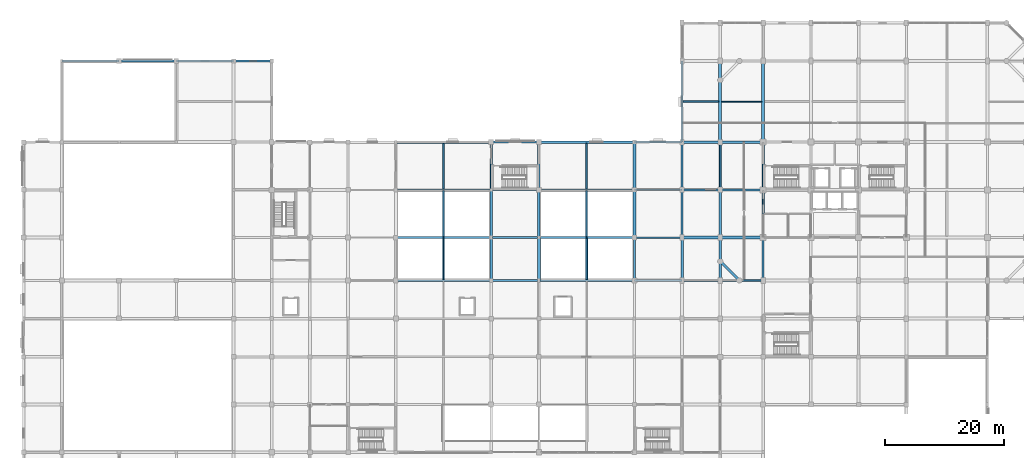
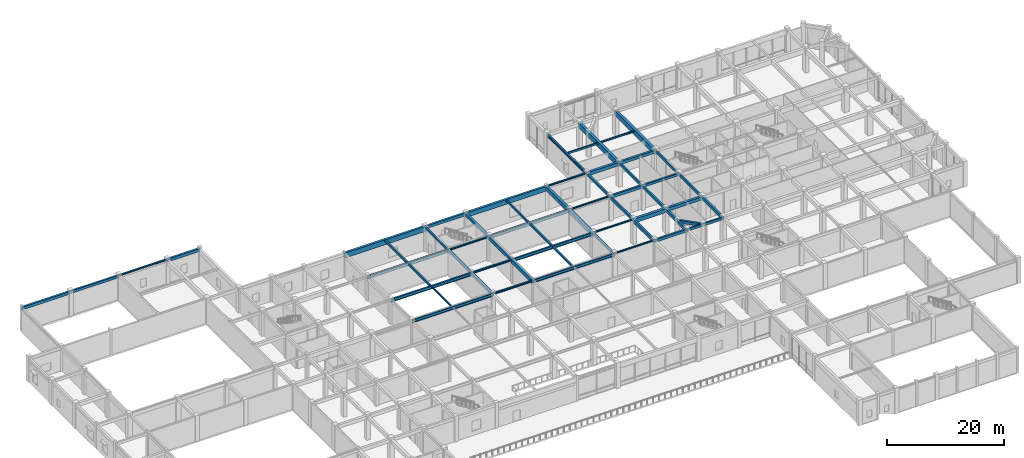
# One storey, part 11 of 36: 58 beams.
"""IFC4 building model written with IfcOpenShell, lengths in metres."""

from ifc_helpers import new_model, si_unit, direction, frame, origin, origin_2d, place, context, subcontext, project, spatial, rectangle, i_section, extrude, material, material_profile, profile_set, type_object, element, save


model = new_model("IFC4")

# Units and contexts
model_context = context("Model", 3, precision=1e-05, world=origin(), true_north=direction((0.0, 1.0)))
body_context = subcontext(model_context, "Body", "Model", "MODEL_VIEW")
ifc_project = project(units=[si_unit("LENGTHUNIT", "METRE"), si_unit("AREAUNIT", "SQUARE_METRE"), si_unit("VOLUMEUNIT", "CUBIC_METRE"), si_unit("PLANEANGLEUNIT", "RADIAN"), si_unit("MASSUNIT", "GRAM", prefix="KILO")], contexts=[model_context])

# Site, building, storey
site_placement = place(None, origin())
site = spatial("IfcSite", under=ifc_project, at=site_placement, CompositionType="ELEMENT")
building_placement = place(site_placement, origin())
building = spatial("IfcBuilding", under=site, at=building_placement, Name="Vellmiral Cinema and Media Centre", CompositionType="ELEMENT")
storey_placement = place(building_placement, frame((0.0, 0.0, 5.39990234375)))
storey = spatial("IfcBuildingStorey", under=building, at=storey_placement, Name="L01", CompositionType="ELEMENT", Elevation=5.39990234375)

# Beams
ifc_material_1 = material(Name="Concrete C40/50", Category="concrete")
ifc_material_profile_1 = material_profile(ifc_material_1, rectangle(XDim=0.300048828125, YDim=0.449951171875, at=origin_2d()), Name="RC 300x450")
ifc_profile_set_1 = profile_set([ifc_material_profile_1], Name="Concrete C40/50")
beam_type_1 = type_object("IfcBeamType", Name="BM-RC-300x450", PredefinedType="BEAM", material=ifc_profile_set_1)
beam_1_placement = place(storey_placement, frame((124.0, 87.199951171875, 4.81005859375), z_axis=(0.0, 1.0, 0.0), x_axis=(-1.0, 0.0, 0.0)))
element("IfcBeam", 1, at=beam_1_placement, inside=storey, type_object=beam_type_1, Name="Grid Beam L01-Y301", PredefinedType="BEAM", context=body_context, shape_type="SweptSolid", body=[
    extrude(rectangle(XDim=0.300048828125, YDim=0.449951171875, at=origin_2d()), origin(), (0.0, 0.0, 1.0), 8.0),
])
ifc_material_2 = material(Name="Concrete C40/50", Category="concrete")
ifc_material_profile_2 = material_profile(ifc_material_2, rectangle(XDim=0.300048828125, YDim=0.5, at=origin_2d()), Name="RC 300x500")
ifc_profile_set_2 = profile_set([ifc_material_profile_2], Name="Concrete C40/50")
beam_type_2 = type_object("IfcBeamType", Name="BM-RC-300x500", PredefinedType="BEAM", material=ifc_profile_set_2)
beam_2_placement = place(storey_placement, frame((116.800048828125, 72.0, 4.78515625), z_axis=(1.0, 0.0, 0.0), x_axis=(0.0, 1.0, 0.0)))
element("IfcBeam", 2, at=beam_2_placement, inside=storey, type_object=beam_type_2, Name="Grid Beam L01-X104", PredefinedType="BEAM", context=body_context, shape_type="SweptSolid", body=[
    extrude(rectangle(XDim=0.300048828125, YDim=0.5, at=origin_2d()), origin(), (0.0, 0.0, 1.0), 7.199951171875),
])
for number, where, z_axis, x_axis, name in (
    (3, (78.39990234375, 87.199951171875, 4.78515625), (0.0, 1.0, 0.0), (-1.0, 0.0, 0.0), "Grid Beam L01-Y256"),
    (4, (116.800048828125, 87.199951171875, 4.78515625), (0.0, 1.0, 0.0), (-1.0, 0.0, 0.0), "Grid Beam L01-Y289"),
    (5, (124.0, 79.199951171875, 4.78515625), (0.0, 1.0, 0.0), (-1.0, 0.0, 0.0), "Grid Beam L01-Y300"),
):
    element("IfcBeam", number, at=place(storey_placement, frame(where, z_axis=z_axis, x_axis=x_axis)), inside=storey, type_object=beam_type_2, Name=name, PredefinedType="BEAM", context=body_context, shape_type="SweptSolid", body=[
        extrude(rectangle(XDim=0.300048828125, YDim=0.5, at=origin_2d()), origin(), (0.0, 0.0, 1.0), 8.0),
    ])
ifc_material_3 = material(Name="Concrete C40/50", Category="concrete")
ifc_material_profile_3 = material_profile(ifc_material_3, rectangle(XDim=0.35009765625, YDim=0.5, at=origin_2d()), Name="RC 350x500")
ifc_profile_set_3 = profile_set([ifc_material_profile_3], Name="Concrete C40/50")
beam_type_3 = type_object("IfcBeamType", Name="BM-RC-350x500", PredefinedType="BEAM", material=ifc_profile_set_3)
beam_3_placement = place(storey_placement, frame((116.800048828125, 87.199951171875, 4.78515625), z_axis=(1.0, 0.0, 0.0), x_axis=(0.0, 1.0, 0.0)))
element("IfcBeam", 6, at=beam_3_placement, inside=storey, type_object=beam_type_3, Name="Grid Beam L01-X136", PredefinedType="BEAM", context=body_context, shape_type="SweptSolid", body=[
    extrude(rectangle(XDim=0.35009765625, YDim=0.5, at=origin_2d()), origin(), (0.0, 0.0, 1.0), 7.199951171875),
])
beam_4_placement = place(storey_placement, frame((78.39990234375, 79.199951171875, 4.78515625), z_axis=(0.0, 1.0, 0.0), x_axis=(-1.0, 0.0, 0.0)))
element("IfcBeam", 7, at=beam_4_placement, inside=storey, type_object=beam_type_3, Name="Grid Beam L01-Y255", PredefinedType="BEAM", context=body_context, shape_type="SweptSolid", body=[
    extrude(rectangle(XDim=0.35009765625, YDim=0.5, at=origin_2d()), origin(), (0.0, 0.0, 1.0), 8.0),
])
beam_5_placement = place(storey_placement, frame((102.39990234375, 72.0, 4.78515625), z_axis=(0.0, 1.0, 0.0), x_axis=(-1.0, 0.0, 0.0)))
element("IfcBeam", 8, at=beam_5_placement, inside=storey, type_object=beam_type_3, Name="Grid Beam L01-Y268", PredefinedType="BEAM", context=body_context, shape_type="SweptSolid", body=[
    extrude(rectangle(XDim=0.35009765625, YDim=0.5, at=origin_2d()), origin(), (0.0, 0.0, 1.0), 7.199951171875),
])
for number, where, z_axis, x_axis, name in (
    (9, (110.39990234375, 87.199951171875, 4.78515625), (0.0, 1.0, 0.0), (-1.0, 0.0, 0.0), "Grid Beam L01-Y277"),
    (10, (116.800048828125, 79.199951171875, 4.78515625), (0.0, 1.0, 0.0), (-1.0, 0.0, 0.0), "Grid Beam L01-Y288"),
):
    element("IfcBeam", number, at=place(storey_placement, frame(where, z_axis=z_axis, x_axis=x_axis)), inside=storey, type_object=beam_type_3, Name=name, PredefinedType="BEAM", context=body_context, shape_type="SweptSolid", body=[
        extrude(rectangle(XDim=0.35009765625, YDim=0.5, at=origin_2d()), origin(), (0.0, 0.0, 1.0), 8.0),
    ])
ifc_material_4 = material(Name="Concrete C40/50", Category="concrete")
ifc_material_profile_4 = material_profile(ifc_material_4, rectangle(XDim=0.35009765625, YDim=0.550048828125, at=origin_2d()), Name="RC 350x550")
ifc_profile_set_4 = profile_set([ifc_material_profile_4], Name="Concrete C40/50")
beam_type_4 = type_object("IfcBeamType", Name="BM-RC-350x550", PredefinedType="BEAM", material=ifc_profile_set_4)
beam_6_placement = place(storey_placement, frame((110.39990234375, 72.0, 4.760009765625), z_axis=(1.0, 0.0, 0.0), x_axis=(0.0, 1.0, 0.0)))
element("IfcBeam", 11, at=beam_6_placement, inside=storey, type_object=beam_type_4, Name="Grid Beam L01-X103", PredefinedType="BEAM", context=body_context, shape_type="SweptSolid", body=[
    extrude(rectangle(XDim=0.35009765625, YDim=0.550048828125, at=origin_2d()), origin(), (0.0, 0.0, 1.0), 6.400146484375),
])
beam_7_placement = place(storey_placement, frame((110.39990234375, 79.199951171875, 4.760009765625), z_axis=(0.0, 1.0, 0.0), x_axis=(-1.0, 0.0, 0.0)))
element("IfcBeam", 12, at=beam_7_placement, inside=storey, type_object=beam_type_4, Name="Grid Beam L01-Y276", PredefinedType="BEAM", context=body_context, shape_type="SweptSolid", body=[
    extrude(rectangle(XDim=0.35009765625, YDim=0.550048828125, at=origin_2d()), origin(), (0.0, 0.0, 1.0), 8.0),
])
ifc_material_5 = material(Name="Concrete C40/50", Category="concrete")
ifc_material_profile_5 = material_profile(ifc_material_5, rectangle(XDim=0.35009765625, YDim=0.60009765625, at=origin_2d()), Name="RC 350x600")
ifc_profile_set_5 = profile_set([ifc_material_profile_5], Name="Concrete C40/50")
beam_type_5 = type_object("IfcBeamType", Name="BM-RC-350x600", PredefinedType="BEAM", material=ifc_profile_set_5)
beam_8_placement = place(storey_placement, frame((110.39990234375, 87.199951171875, 4.735107421875), z_axis=(1.0, 0.0, 0.0), x_axis=(0.0, 1.0, 0.0)))
element("IfcBeam", 13, at=beam_8_placement, inside=storey, type_object=beam_type_5, Name="Grid Beam L01-X135", PredefinedType="BEAM", context=body_context, shape_type="SweptSolid", body=[
    extrude(rectangle(XDim=0.35009765625, YDim=0.60009765625, at=origin_2d()), origin(), (0.0, 0.0, 1.0), 6.400146484375),
])
beam_9_placement = place(storey_placement, frame((124.0, 72.0, 4.735107421875), z_axis=(0.0, 1.0, 0.0), x_axis=(-1.0, 0.0, 0.0)))
element("IfcBeam", 14, at=beam_9_placement, inside=storey, type_object=beam_type_5, Name="Grid Beam L01-Y299", PredefinedType="BEAM", context=body_context, shape_type="SweptSolid", body=[
    extrude(rectangle(XDim=0.35009765625, YDim=0.60009765625, at=origin_2d()), origin(), (0.0, 0.0, 1.0), 7.199951171875),
])
ifc_material_6 = material(Name="Concrete C40/50", Category="concrete")
ifc_material_profile_6 = material_profile(ifc_material_6, rectangle(XDim=0.39990234375, YDim=0.60009765625, at=origin_2d()), Name="RC 400x600")
ifc_profile_set_6 = profile_set([ifc_material_profile_6], Name="Concrete C40/50")
beam_type_6 = type_object("IfcBeamType", Name="BM-RC-400x600", PredefinedType="BEAM", material=ifc_profile_set_6)
for number, where, z_axis, x_axis, name in (
    (15, (116.800048828125, 95.199951171875, 4.735107421875), (1.0, 0.0, 0.0), (0.0, 1.0, 0.0), "Grid Beam L01-X155"),
    (16, (78.39990234375, 72.0, 4.735107421875), (0.0, 1.0, 0.0), (-1.0, 0.0, 0.0), "Grid Beam L01-Y254"),
):
    element("IfcBeam", number, at=place(storey_placement, frame(where, z_axis=z_axis, x_axis=x_axis)), inside=storey, type_object=beam_type_6, Name=name, PredefinedType="BEAM", context=body_context, shape_type="SweptSolid", body=[
        extrude(rectangle(XDim=0.39990234375, YDim=0.60009765625, at=origin_2d()), origin(), (0.0, 0.0, 1.0), 7.199951171875),
    ])
beam_10_placement = place(storey_placement, frame((86.39990234375, 87.199951171875, 4.735107421875), z_axis=(0.0, 1.0, 0.0), x_axis=(-1.0, 0.0, 0.0)))
element("IfcBeam", 17, at=beam_10_placement, inside=storey, type_object=beam_type_6, Name="Grid Beam L01-Y263", PredefinedType="BEAM", context=body_context, shape_type="SweptSolid", body=[
    extrude(rectangle(XDim=0.39990234375, YDim=0.60009765625, at=origin_2d()), origin(), (0.0, 0.0, 1.0), 8.0),
])
beam_11_placement = place(storey_placement, frame((116.800048828125, 72.0, 4.735107421875), z_axis=(0.0, 1.0, 0.0), x_axis=(-1.0, 0.0, 0.0)))
element("IfcBeam", 18, at=beam_11_placement, inside=storey, type_object=beam_type_6, Name="Grid Beam L01-Y287", PredefinedType="BEAM", context=body_context, shape_type="SweptSolid", body=[
    extrude(rectangle(XDim=0.39990234375, YDim=0.60009765625, at=origin_2d()), origin(), (0.0, 0.0, 1.0), 7.199951171875),
])
ifc_material_7 = material(Name="Concrete C40/50", Category="concrete")
ifc_material_profile_7 = material_profile(ifc_material_7, rectangle(XDim=0.39990234375, YDim=0.64990234375, at=origin_2d()), Name="RC 400x650")
ifc_profile_set_7 = profile_set([ifc_material_profile_7], Name="Concrete C40/50")
beam_type_7 = type_object("IfcBeamType", Name="BM-RC-400x650", PredefinedType="BEAM", material=ifc_profile_set_7)
beam_12_placement = place(storey_placement, frame((86.39990234375, 79.199951171875, 4.710205078125), z_axis=(0.0, 1.0, 0.0), x_axis=(-1.0, 0.0, 0.0)))
element("IfcBeam", 19, at=beam_12_placement, inside=storey, type_object=beam_type_7, Name="Grid Beam L01-Y262", PredefinedType="BEAM", context=body_context, shape_type="SweptSolid", body=[
    extrude(rectangle(XDim=0.39990234375, YDim=0.64990234375, at=origin_2d()), origin(), (0.0, 0.0, 1.0), 8.0),
])
beam_13_placement = place(storey_placement, frame((110.39990234375, 72.0, 4.710205078125), z_axis=(0.0, 1.0, 0.0), x_axis=(-1.0, 0.0, 0.0)))
element("IfcBeam", 20, at=beam_13_placement, inside=storey, type_object=beam_type_7, Name="Grid Beam L01-Y275", PredefinedType="BEAM", context=body_context, shape_type="SweptSolid", body=[
    extrude(rectangle(XDim=0.39990234375, YDim=0.64990234375, at=origin_2d()), origin(), (0.0, 0.0, 1.0), 7.199951171875),
])
ifc_material_8 = material(Name="Concrete C40/50", Category="concrete")
ifc_material_profile_8 = material_profile(ifc_material_8, rectangle(XDim=0.449951171875, YDim=0.699951171875, at=origin_2d()), Name="RC 450x700")
ifc_profile_set_8 = profile_set([ifc_material_profile_8], Name="Concrete C40/50")
beam_type_8 = type_object("IfcBeamType", Name="BM-RC-450x700", PredefinedType="BEAM", material=ifc_profile_set_8)
beam_14_placement = place(storey_placement, frame((116.800048828125, 79.199951171875, 4.68505859375), z_axis=(1.0, 0.0, 0.0), x_axis=(0.0, 1.0, 0.0)))
element("IfcBeam", 21, at=beam_14_placement, inside=storey, type_object=beam_type_8, Name="Grid Beam L01-X120", PredefinedType="BEAM", context=body_context, shape_type="SweptSolid", body=[
    extrude(rectangle(XDim=0.449951171875, YDim=0.699951171875, at=origin_2d()), origin(), (0.0, 0.0, 1.0), 7.199951171875),
])
beam_15_placement = place(storey_placement, frame((110.39990234375, 95.199951171875, 4.68505859375), z_axis=(1.0, 0.0, 0.0), x_axis=(0.0, 1.0, 0.0)))
element("IfcBeam", 22, at=beam_15_placement, inside=storey, type_object=beam_type_8, Name="Grid Beam L01-X154", PredefinedType="BEAM", context=body_context, shape_type="SweptSolid", body=[
    extrude(rectangle(XDim=0.449951171875, YDim=0.699951171875, at=origin_2d()), origin(), (0.0, 0.0, 1.0), 6.400146484375),
])
ifc_material_9 = material(Name="Concrete C40/50", Category="concrete")
ifc_material_profile_9 = material_profile(ifc_material_9, rectangle(XDim=0.5, YDim=0.800048828125, at=origin_2d()), Name="RC 500x800")
ifc_profile_set_9 = profile_set([ifc_material_profile_9], Name="Concrete C40/50")
beam_type_9 = type_object("IfcBeamType", Name="BM-RC-500x800", PredefinedType="BEAM", material=ifc_profile_set_9)
beam_16_placement = place(storey_placement, frame((110.39990234375, 79.199951171875, 4.635009765625), z_axis=(1.0, 0.0, 0.0), x_axis=(0.0, 1.0, 0.0)))
element("IfcBeam", 23, at=beam_16_placement, inside=storey, type_object=beam_type_9, Name="Grid Beam L01-X119", PredefinedType="BEAM", context=body_context, shape_type="SweptSolid", body=[
    extrude(rectangle(XDim=0.5, YDim=0.800048828125, at=origin_2d()), origin(), (0.0, 0.0, 1.0), 6.400146484375),
])
beam_17_placement = place(storey_placement, frame((86.39990234375, 72.0, 4.635009765625), z_axis=(0.0, 1.0, 0.0), x_axis=(-1.0, 0.0, 0.0)))
element("IfcBeam", 24, at=beam_17_placement, inside=storey, type_object=beam_type_9, Name="Grid Beam L01-Y261", PredefinedType="BEAM", context=body_context, shape_type="SweptSolid", body=[
    extrude(rectangle(XDim=0.5, YDim=0.800048828125, at=origin_2d()), origin(), (0.0, 0.0, 1.0), 7.199951171875),
])
beam_18_placement = place(storey_placement, frame((102.39990234375, 87.199951171875, 4.635009765625), z_axis=(0.0, 1.0, 0.0), x_axis=(-1.0, 0.0, 0.0)))
element("IfcBeam", 25, at=beam_18_placement, inside=storey, type_object=beam_type_9, Name="Grid Beam L01-Y270", PredefinedType="BEAM", context=body_context, shape_type="SweptSolid", body=[
    extrude(rectangle(XDim=0.5, YDim=0.800048828125, at=origin_2d()), origin(), (0.0, 0.0, 1.0), 8.0),
])
ifc_material_10 = material(Name="Concrete C40/50", Category="concrete")
ifc_material_profile_10 = material_profile(ifc_material_10, rectangle(XDim=0.5, YDim=0.85009765625, at=origin_2d()), Name="RC 500x850")
ifc_profile_set_10 = profile_set([ifc_material_profile_10], Name="Concrete C40/50")
beam_type_10 = type_object("IfcBeamType", Name="BM-RC-500x850", PredefinedType="BEAM", material=ifc_profile_set_10)
beam_19_placement = place(storey_placement, frame((102.39990234375, 79.199951171875, 4.610107421875), z_axis=(0.0, 1.0, 0.0), x_axis=(-1.0, 0.0, 0.0)))
element("IfcBeam", 26, at=beam_19_placement, inside=storey, type_object=beam_type_10, Name="Grid Beam L01-Y269", PredefinedType="BEAM", context=body_context, shape_type="SweptSolid", body=[
    extrude(rectangle(XDim=0.5, YDim=0.85009765625, at=origin_2d()), origin(), (0.0, 0.0, 1.0), 8.0),
])
ifc_material_11 = material(Name="Concrete C40/50", Category="concrete")
ifc_material_profile_11 = material_profile(ifc_material_11, rectangle(XDim=0.5, YDim=1.050048828125, at=origin_2d()), Name="RC 500x1050")
ifc_profile_set_11 = profile_set([ifc_material_profile_11], Name="Concrete C40/50")
beam_type_11 = type_object("IfcBeamType", Name="BM-RCG-500x1050", PredefinedType="BEAM", material=ifc_profile_set_11)
for number, where, z_axis, x_axis, name in (
    (27, (116.800048828125, 95.199951171875, 4.510009765625), (0.0, 1.0, 0.0), (-1.0, 0.0, 0.0), "Grid Beam L01-Y290"),
    (28, (124.0, 95.199951171875, 4.510009765625), (0.0, 1.0, 0.0), (-1.0, 0.0, 0.0), "Grid Beam L01-Y302"),
):
    element("IfcBeam", number, at=place(storey_placement, frame(where, z_axis=z_axis, x_axis=x_axis)), inside=storey, type_object=beam_type_11, Name=name, PredefinedType="BEAM", context=body_context, shape_type="SweptSolid", body=[
        extrude(rectangle(XDim=0.5, YDim=1.050048828125, at=origin_2d()), origin(), (0.0, 0.0, 1.0), 13.60009765625),
    ])
ifc_material_12 = material(Name="Concrete C40/50", Category="concrete")
ifc_material_profile_12 = material_profile(ifc_material_12, rectangle(XDim=0.25, YDim=0.35009765625, at=origin_2d()), Name="RC 250x350")
ifc_profile_set_12 = profile_set([ifc_material_profile_12], Name="Concrete C40/50")
beam_type_12 = type_object("IfcBeamType", Name="JST-RC-250x350", PredefinedType="JOIST", material=ifc_profile_set_12)
beam_20_placement = place(storey_placement, frame((110.550048828125, 102.0, 4.860107421875), z_axis=(1.0, 0.0, 0.0), x_axis=(0.0, 1.0, 0.0)))
element("IfcBeam", 29, at=beam_20_placement, inside=storey, type_object=beam_type_12, Name="Secondary Floor Joist L01-020", PredefinedType="JOIST", context=body_context, shape_type="SweptSolid", body=[
    extrude(rectangle(XDim=0.25, YDim=0.35009765625, at=origin_2d()), origin(), (0.0, 0.0, 1.0), 6.0),
])
ifc_material_13 = material(Name="Concrete C40/50", Category="concrete")
ifc_material_profile_13 = material_profile(ifc_material_13, rectangle(XDim=0.260009765625, YDim=0.3798828125, at=origin_2d()), Name="RC 260x380")
ifc_profile_set_13 = profile_set([ifc_material_profile_13], Name="Concrete C40/50")
beam_type_13 = type_object("IfcBeamType", Name="JST-RC-260x380", PredefinedType="JOIST", material=ifc_profile_set_13)
beam_21_placement = place(storey_placement, frame((94.39990234375, 87.35009765625, 4.84521484375), z_axis=(0.0, 1.0, 0.0), x_axis=(-1.0, 0.0, 0.0)))
element("IfcBeam", 30, at=beam_21_placement, inside=storey, type_object=beam_type_13, Name="Secondary Floor Joist L01-019", PredefinedType="JOIST", context=body_context, shape_type="SweptSolid", body=[
    extrude(rectangle(XDim=0.260009765625, YDim=0.3798828125, at=origin_2d()), origin(), (0.0, 0.0, 1.0), 7.639892578125),
])
ifc_material_14 = material(Name="Concrete C40/50", Category="concrete")
ifc_material_profile_14 = material_profile(ifc_material_14, rectangle(XDim=0.280029296875, YDim=0.39990234375, at=origin_2d()), Name="RC 280x400")
ifc_profile_set_14 = profile_set([ifc_material_profile_14], Name="Concrete C40/50")
beam_type_14 = type_object("IfcBeamType", Name="JST-RC-280x400", PredefinedType="JOIST", material=ifc_profile_set_14)
beam_22_placement = place(storey_placement, frame((70.39990234375, 87.35009765625, 4.835205078125), z_axis=(0.0, 1.0, 0.0), x_axis=(-1.0, 0.0, 0.0)))
element("IfcBeam", 31, at=beam_22_placement, inside=storey, type_object=beam_type_14, Name="Secondary Floor Joist L01-012", PredefinedType="JOIST", context=body_context, shape_type="SweptSolid", body=[
    extrude(rectangle(XDim=0.280029296875, YDim=0.39990234375, at=origin_2d()), origin(), (0.0, 0.0, 1.0), 7.625),
])
beam_23_placement = place(storey_placement, frame((94.39990234375, 79.35009765625, 4.835205078125), z_axis=(0.0, 1.0, 0.0), x_axis=(-1.0, 0.0, 0.0)))
element("IfcBeam", 32, at=beam_23_placement, inside=storey, type_object=beam_type_14, Name="Secondary Floor Joist L01-018", PredefinedType="JOIST", context=body_context, shape_type="SweptSolid", body=[
    extrude(rectangle(XDim=0.280029296875, YDim=0.39990234375, at=origin_2d()), origin(), (0.0, 0.0, 1.0), 7.699951171875),
])
ifc_material_15 = material(Name="Concrete C40/50", Category="concrete")
ifc_material_profile_15 = material_profile(ifc_material_15, rectangle(XDim=0.300048828125, YDim=0.419921875, at=origin_2d()), Name="RC 300x420")
ifc_profile_set_15 = profile_set([ifc_material_profile_15], Name="Concrete C40/50")
beam_type_15 = type_object("IfcBeamType", Name="JST-RC-300x420", PredefinedType="JOIST", material=ifc_profile_set_15)
beam_24_placement = place(storey_placement, frame((70.39990234375, 79.35009765625, 4.8251953125), z_axis=(0.0, 1.0, 0.0), x_axis=(-1.0, 0.0, 0.0)))
element("IfcBeam", 33, at=beam_24_placement, inside=storey, type_object=beam_type_15, Name="Secondary Floor Joist L01-011", PredefinedType="JOIST", context=body_context, shape_type="SweptSolid", body=[
    extrude(rectangle(XDim=0.300048828125, YDim=0.419921875, at=origin_2d()), origin(), (0.0, 0.0, 1.0), 7.699951171875),
])
beam_25_placement = place(storey_placement, frame((94.39990234375, 72.14990234375, 4.8251953125), z_axis=(0.0, 1.0, 0.0), x_axis=(-1.0, 0.0, 0.0)))
element("IfcBeam", 34, at=beam_25_placement, inside=storey, type_object=beam_type_15, Name="Secondary Floor Joist L01-017", PredefinedType="JOIST", context=body_context, shape_type="SweptSolid", body=[
    extrude(rectangle(XDim=0.300048828125, YDim=0.419921875, at=origin_2d()), origin(), (0.0, 0.0, 1.0), 6.900146484375),
])
ifc_material_16 = material(Name="Steel S355", Category="steel")
ifc_material_profile_16 = material_profile(ifc_material_16, i_section(OverallWidth=0.300048828125, OverallDepth=0.35009765625, WebThickness=0.010009765625, FlangeThickness=0.017578125, FilletRadius=0.027099609375, at=origin_2d()), Name="HEA 360")
ifc_profile_set_16 = profile_set([ifc_material_profile_16], Name="Steel S355")
beam_type_16 = type_object("IfcBeamType", Name="SBM-HEA360", PredefinedType="BEAM", material=ifc_profile_set_16)
for number, where, z_axis, x_axis, name in (
    (35, (78.39990234375, 72.0, 4.860107421875), (1.0, 0.0, 0.0), (0.0, 1.0, 0.0), "Grid Beam L01-X100"),
    (36, (78.39990234375, 79.199951171875, 4.860107421875), (1.0, 0.0, 0.0), (0.0, 1.0, 0.0), "Grid Beam L01-X116"),
    (37, (78.39990234375, 87.199951171875, 4.860107421875), (1.0, 0.0, 0.0), (0.0, 1.0, 0.0), "Grid Beam L01-X132"),
):
    element("IfcBeam", number, at=place(storey_placement, frame(where, z_axis=z_axis, x_axis=x_axis)), inside=storey, type_object=beam_type_16, Name=name, PredefinedType="BEAM", context=body_context, shape_type="SweptSolid", body=[
        extrude(i_section(OverallWidth=0.300048828125, OverallDepth=0.35009765625, WebThickness=0.010009765625, FlangeThickness=0.017578125, FilletRadius=0.027099609375, at=origin_2d()), origin(), (0.0, 0.0, 1.0), 8.0),
    ])
ifc_material_17 = material(Name="Steel S355", Category="steel")
ifc_material_profile_17 = material_profile(ifc_material_17, i_section(OverallWidth=0.260009765625, OverallDepth=0.260009765625, WebThickness=0.010009765625, FlangeThickness=0.017578125, FilletRadius=0.02392578125, at=origin_2d()), Name="HEB 260")
ifc_profile_set_17 = profile_set([ifc_material_profile_17], Name="Steel S355")
beam_type_17 = type_object("IfcBeamType", Name="SBM-HEB260", PredefinedType="BEAM", material=ifc_profile_set_17)
for number, where, z_axis, x_axis, name in (
    (38, (102.39990234375, 72.0, 4.905029296875), (1.0, 0.0, 0.0), (0.0, 1.0, 0.0), "Grid Beam L01-X102"),
    (39, (102.39990234375, 79.199951171875, 4.905029296875), (1.0, 0.0, 0.0), (0.0, 1.0, 0.0), "Grid Beam L01-X118"),
    (40, (102.39990234375, 87.199951171875, 4.905029296875), (1.0, 0.0, 0.0), (0.0, 1.0, 0.0), "Grid Beam L01-X134"),
):
    element("IfcBeam", number, at=place(storey_placement, frame(where, z_axis=z_axis, x_axis=x_axis)), inside=storey, type_object=beam_type_17, Name=name, PredefinedType="BEAM", context=body_context, shape_type="SweptSolid", body=[
        extrude(i_section(OverallWidth=0.260009765625, OverallDepth=0.260009765625, WebThickness=0.010009765625, FlangeThickness=0.017578125, FilletRadius=0.02392578125, at=origin_2d()), origin(), (0.0, 0.0, 1.0), 8.0),
    ])
ifc_material_18 = material(Name="Steel S355", Category="steel")
ifc_material_profile_18 = material_profile(ifc_material_18, i_section(OverallWidth=0.300048828125, OverallDepth=0.300048828125, WebThickness=0.010986328125, FlangeThickness=0.01904296875, FilletRadius=0.027099609375, at=origin_2d()), Name="HEB 300")
ifc_profile_set_18 = profile_set([ifc_material_profile_18], Name="Steel S355")
beam_type_18 = type_object("IfcBeamType", Name="SBM-HEB300", PredefinedType="SPANDREL", material=ifc_profile_set_18)
beam_26_placement = place(storey_placement, frame((102.39990234375, 95.199951171875, 4.885009765625), z_axis=(1.0, 0.0, 0.0), x_axis=(0.0, 1.0, 0.0)))
element("IfcBeam", 41, at=beam_26_placement, inside=storey, type_object=beam_type_18, Name="Grid Beam L01-X153", PredefinedType="SPANDREL", context=body_context, shape_type="SweptSolid", body=[
    extrude(i_section(OverallWidth=0.300048828125, OverallDepth=0.300048828125, WebThickness=0.010986328125, FlangeThickness=0.01904296875, FilletRadius=0.027099609375, at=origin_2d()), origin(), (0.0, 0.0, 1.0), 8.0),
])
beam_27_placement = place(storey_placement, frame((25.60009765625, 108.800048828125, 4.885009765625), z_axis=(1.0, 0.0, 0.0), x_axis=(0.0, 1.0, 0.0)))
element("IfcBeam", 42, at=beam_27_placement, inside=storey, type_object=beam_type_18, Name="Grid Beam L01-X163", PredefinedType="SPANDREL", context=body_context, shape_type="SweptSolid", body=[
    extrude(i_section(OverallWidth=0.300048828125, OverallDepth=0.300048828125, WebThickness=0.010986328125, FlangeThickness=0.01904296875, FilletRadius=0.027099609375, at=origin_2d()), origin(), (0.0, 0.0, 1.0), 9.599853515625),
])
ifc_material_19 = material(Name="Steel S355", Category="steel")
ifc_material_profile_19 = material_profile(ifc_material_19, i_section(OverallWidth=0.300048828125, OverallDepth=0.60009765625, WebThickness=0.015380859375, FlangeThickness=0.030029296875, FilletRadius=0.027099609375, at=origin_2d()), Name="HEB 600")
ifc_profile_set_19 = profile_set([ifc_material_profile_19], Name="Steel S355")
beam_type_19 = type_object("IfcBeamType", Name="SBM-HEB600-SPD", PredefinedType="SPANDREL", material=ifc_profile_set_19)
beam_28_placement = place(storey_placement, frame((110.39990234375, 95.199951171875, 4.735107421875), z_axis=(0.0, 1.0, 0.0), x_axis=(-1.0, 0.0, 0.0)))
element("IfcBeam", 43, at=beam_28_placement, inside=storey, type_object=beam_type_19, Name="Grid Beam L01-Y278", PredefinedType="SPANDREL", context=body_context, shape_type="SweptSolid", body=[
    extrude(i_section(OverallWidth=0.300048828125, OverallDepth=0.60009765625, WebThickness=0.015380859375, FlangeThickness=0.030029296875, FilletRadius=0.027099609375, at=origin_2d()), origin(), (0.0, 0.0, 1.0), 13.60009765625),
])
ifc_material_20 = material(Name="Steel S355", Category="steel")
ifc_material_profile_20 = material_profile(ifc_material_20, i_section(OverallWidth=0.300048828125, OverallDepth=0.64990234375, WebThickness=0.01611328125, FlangeThickness=0.031005859375, FilletRadius=0.027099609375, at=origin_2d()), Name="HEB 650")
ifc_profile_set_20 = profile_set([ifc_material_profile_20], Name="Steel S355")
beam_type_20 = type_object("IfcBeamType", Name="SBM-HEB650", PredefinedType="BEAM", material=ifc_profile_set_20)
for number, where, z_axis, x_axis, name in (
    (44, (62.39990234375, 72.0, 4.710205078125), (1.0, 0.0, 0.0), (0.0, 1.0, 0.0), "Grid Beam L01-X099"),
    (45, (86.39990234375, 72.0, 4.710205078125), (1.0, 0.0, 0.0), (0.0, 1.0, 0.0), "Grid Beam L01-X101"),
    (46, (62.39990234375, 79.199951171875, 4.710205078125), (1.0, 0.0, 0.0), (0.0, 1.0, 0.0), "Grid Beam L01-X115"),
    (47, (86.39990234375, 79.199951171875, 4.710205078125), (1.0, 0.0, 0.0), (0.0, 1.0, 0.0), "Grid Beam L01-X117"),
    (48, (62.39990234375, 87.199951171875, 4.710205078125), (1.0, 0.0, 0.0), (0.0, 1.0, 0.0), "Grid Beam L01-X131"),
    (49, (86.39990234375, 87.199951171875, 4.710205078125), (1.0, 0.0, 0.0), (0.0, 1.0, 0.0), "Grid Beam L01-X133"),
):
    element("IfcBeam", number, at=place(storey_placement, frame(where, z_axis=z_axis, x_axis=x_axis)), inside=storey, type_object=beam_type_20, Name=name, PredefinedType="BEAM", context=body_context, shape_type="SweptSolid", body=[
        extrude(i_section(OverallWidth=0.300048828125, OverallDepth=0.64990234375, WebThickness=0.01611328125, FlangeThickness=0.031005859375, FilletRadius=0.027099609375, at=origin_2d()), origin(), (0.0, 0.0, 1.0), 16.0),
    ])
ifc_material_21 = material(Name="Steel S355", Category="steel")
ifc_material_profile_21 = material_profile(ifc_material_21, i_section(OverallWidth=0.169921875, OverallDepth=0.360107421875, WebThickness=0.008056640625, FlangeThickness=0.0126953125, FilletRadius=0.01806640625, at=origin_2d()), Name="IPE 360")
ifc_profile_set_21 = profile_set([ifc_material_profile_21], Name="Steel S355")
beam_type_21 = type_object("IfcBeamType", Name="SBM-IPE360", PredefinedType="JOIST", material=ifc_profile_set_21)
beam_29_placement = place(storey_placement, frame((70.39990234375, 72.14990234375, 4.85498046875), z_axis=(0.0, 1.0, 0.0), x_axis=(-1.0, 0.0, 0.0)))
element("IfcBeam", 50, at=beam_29_placement, inside=storey, type_object=beam_type_21, Name="Secondary Floor Joist L01-010", PredefinedType="JOIST", context=body_context, shape_type="SweptSolid", body=[
    extrude(i_section(OverallWidth=0.169921875, OverallDepth=0.360107421875, WebThickness=0.008056640625, FlangeThickness=0.0126953125, FilletRadius=0.01806640625, at=origin_2d()), origin(), (0.0, 0.0, 1.0), 6.900146484375),
])
beam_30_placement = place(storey_placement, frame((117.050048828125, 102.0, 4.85498046875), z_axis=(1.0, 0.0, 0.0), x_axis=(0.0, 1.0, 0.0)))
element("IfcBeam", 51, at=beam_30_placement, inside=storey, type_object=beam_type_21, Name="Secondary Floor Joist L01-022", PredefinedType="JOIST", context=body_context, shape_type="SweptSolid", body=[
    extrude(i_section(OverallWidth=0.169921875, OverallDepth=0.360107421875, WebThickness=0.008056640625, FlangeThickness=0.0126953125, FilletRadius=0.01806640625, at=origin_2d()), origin(), (0.0, 0.0, 1.0), 6.699951171875),
])
ifc_material_22 = material(Name="Concrete C40/50", Category="concrete")
ifc_material_profile_22 = material_profile(ifc_material_22, rectangle(XDim=0.39990234375, YDim=0.60009765625, at=origin_2d()), Name="RC 400x600")
ifc_profile_set_22 = profile_set([ifc_material_profile_22], Name="Concrete C40/50")
beam_type_22 = type_object("IfcBeamType", Name="SPD-RC-400x600", PredefinedType="SPANDREL", material=ifc_profile_set_22)
beam_31_placement = place(storey_placement, frame((35.199951171875, 108.800048828125, 4.735107421875), z_axis=(1.0, 0.0, 0.0), x_axis=(0.0, 1.0, 0.0)))
element("IfcBeam", 52, at=beam_31_placement, inside=storey, type_object=beam_type_22, Name="Grid Beam L01-X164", PredefinedType="SPANDREL", context=body_context, shape_type="SweptSolid", body=[
    extrude(rectangle(XDim=0.39990234375, YDim=0.60009765625, at=origin_2d()), origin(), (0.0, 0.0, 1.0), 6.400146484375),
])
beam_32_placement = place(storey_placement, frame((116.800048828125, 75.199951171875, 4.735107421875), z_axis=(0.707106781187, -0.707106781187, 0.0), x_axis=(0.707106781187, 0.707106781187, 0.0)))
element("IfcBeam", 53, at=beam_32_placement, inside=storey, type_object=beam_type_22, Name="Xamfra Chamfer Spandrel Beam L01-349", PredefinedType="SPANDREL", context=body_context, shape_type="SweptSolid", body=[
    extrude(rectangle(XDim=0.39990234375, YDim=0.60009765625, at=origin_2d()), origin(), (0.0, 0.0, 1.0), 4.525390625),
])
ifc_material_23 = material(Name="Concrete C40/50", Category="concrete")
ifc_material_profile_23 = material_profile(ifc_material_23, rectangle(XDim=0.449951171875, YDim=1.050048828125, at=origin_2d()), Name="RC 450x1050")
ifc_profile_set_23 = profile_set([ifc_material_profile_23], Name="Concrete C40/50")
beam_type_23 = type_object("IfcBeamType", Name="SPD-RCG-450x1050", PredefinedType="SPANDREL", material=ifc_profile_set_23)
beam_33_placement = place(storey_placement, frame((62.39990234375, 95.199951171875, 4.510009765625), z_axis=(1.0, 0.0, 0.0), x_axis=(0.0, 1.0, 0.0)))
element("IfcBeam", 54, at=beam_33_placement, inside=storey, type_object=beam_type_23, Name="Grid Beam L01-X150", PredefinedType="SPANDREL", context=body_context, shape_type="SweptSolid", body=[
    extrude(rectangle(XDim=0.449951171875, YDim=1.050048828125, at=origin_2d()), origin(), (0.0, 0.0, 1.0), 16.0),
])
ifc_material_24 = material(Name="Vosges Red Sandstone Masonry", Category="masonry")
ifc_material_profile_24 = material_profile(ifc_material_24, rectangle(XDim=0.340087890625, YDim=0.52001953125, at=origin_2d()), Name="SAND 340x520")
ifc_profile_set_24 = profile_set([ifc_material_profile_24], Name="Vosges Red Sandstone Masonry")
beam_type_24 = type_object("IfcBeamType", Name="SPD-SAND-340x520", PredefinedType="SPANDREL", material=ifc_profile_set_24)
beam_34_placement = place(storey_placement, frame((16.0, 108.800048828125, 4.775146484375), z_axis=(1.0, 0.0, 0.0), x_axis=(0.0, 1.0, 0.0)))
element("IfcBeam", 55, at=beam_34_placement, inside=storey, type_object=beam_type_24, Name="Grid Beam L01-X162", PredefinedType="SPANDREL", context=body_context, shape_type="SweptSolid", body=[
    extrude(rectangle(XDim=0.340087890625, YDim=0.52001953125, at=origin_2d()), origin(), (0.0, 0.0, 1.0), 9.60009765625),
])
ifc_material_25 = material(Name="Vosges Red Sandstone Masonry", Category="masonry")
ifc_material_profile_25 = material_profile(ifc_material_25, rectangle(XDim=0.3798828125, YDim=0.580078125, at=origin_2d()), Name="SAND 380x580")
ifc_profile_set_25 = profile_set([ifc_material_profile_25], Name="Vosges Red Sandstone Masonry")
beam_type_25 = type_object("IfcBeamType", Name="SPD-SAND-380x580", PredefinedType="SPANDREL", material=ifc_profile_set_25)
beam_35_placement = place(storey_placement, frame((78.39990234375, 95.199951171875, 4.7451171875), z_axis=(1.0, 0.0, 0.0), x_axis=(0.0, 1.0, 0.0)))
element("IfcBeam", 56, at=beam_35_placement, inside=storey, type_object=beam_type_25, Name="Grid Beam L01-X151", PredefinedType="SPANDREL", context=body_context, shape_type="SweptSolid", body=[
    extrude(rectangle(XDim=0.3798828125, YDim=0.580078125, at=origin_2d()), origin(), (0.0, 0.0, 1.0), 8.0),
])
beam_36_placement = place(storey_placement, frame((6.39990234375, 108.800048828125, 4.7451171875), z_axis=(1.0, 0.0, 0.0), x_axis=(0.0, 1.0, 0.0)))
element("IfcBeam", 57, at=beam_36_placement, inside=storey, type_object=beam_type_25, Name="Grid Beam L01-X161", PredefinedType="SPANDREL", context=body_context, shape_type="SweptSolid", body=[
    extrude(rectangle(XDim=0.3798828125, YDim=0.580078125, at=origin_2d()), origin(), (0.0, 0.0, 1.0), 9.60009765625),
])
ifc_material_26 = material(Name="Vosges Red Sandstone Masonry", Category="masonry")
ifc_material_profile_26 = material_profile(ifc_material_26, rectangle(XDim=0.419921875, YDim=1.0, at=origin_2d()), Name="SAND 420x1000")
ifc_profile_set_26 = profile_set([ifc_material_profile_26], Name="Vosges Red Sandstone Masonry")
beam_type_26 = type_object("IfcBeamType", Name="SPD-SANDG-420x1000", PredefinedType="SPANDREL", material=ifc_profile_set_26)
beam_37_placement = place(storey_placement, frame((86.39990234375, 95.199951171875, 4.53515625), z_axis=(1.0, 0.0, 0.0), x_axis=(0.0, 1.0, 0.0)))
element("IfcBeam", 58, at=beam_37_placement, inside=storey, type_object=beam_type_26, Name="Grid Beam L01-X152", PredefinedType="SPANDREL", context=body_context, shape_type="SweptSolid", body=[
    extrude(rectangle(XDim=0.419921875, YDim=1.0, at=origin_2d()), origin(), (0.0, 0.0, 1.0), 16.0),
])

save(model, "model.ifc")
